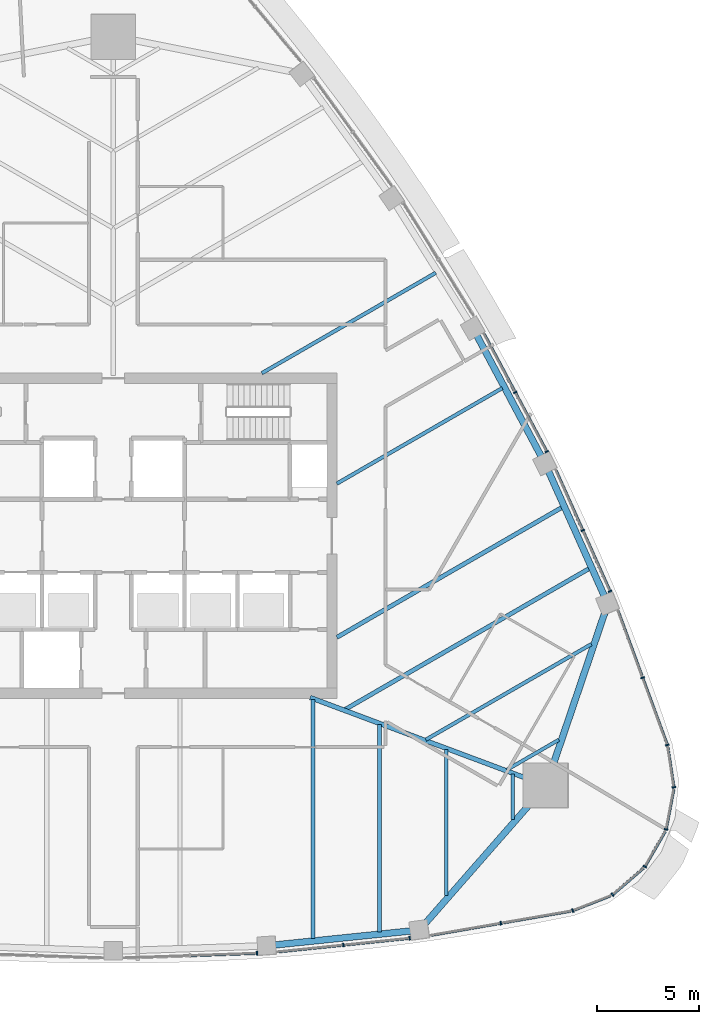
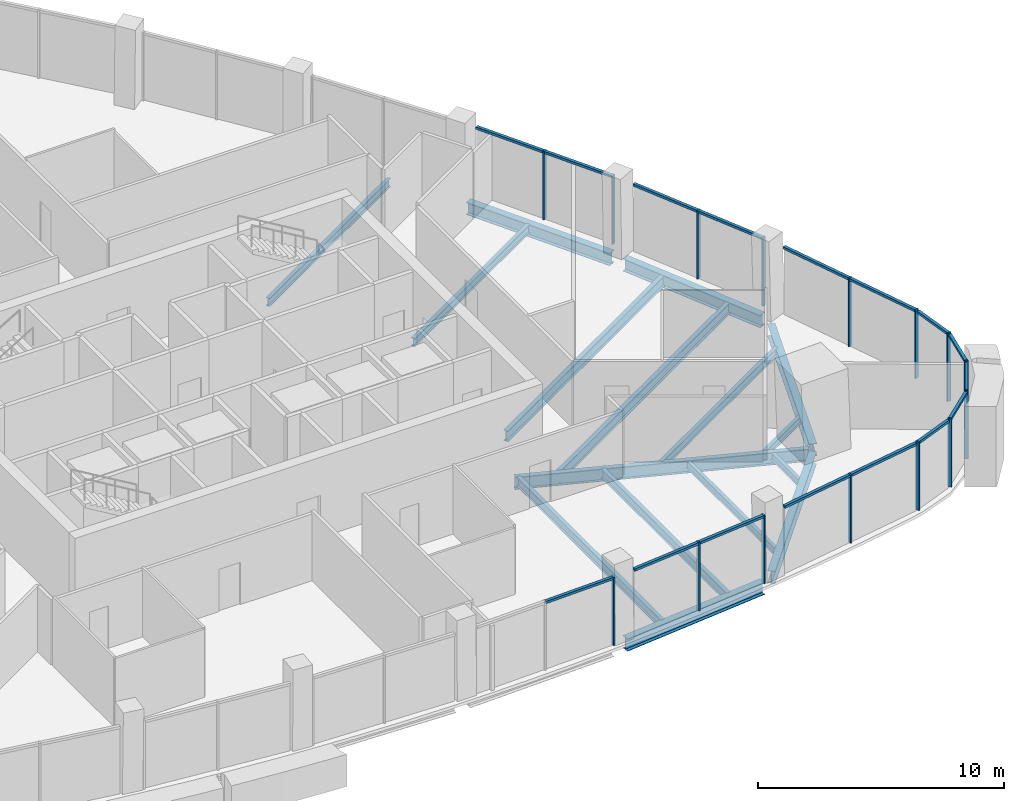
# One storey, part 4 of 15: 31 members, 16 beams, 11 elements without a shape of their own.
"""IFC4 building model written with IfcOpenShell, lengths in metres."""

import ifcopenshell
import ifcopenshell.guid

model = None  # the IFC model being written
_history = None  # IfcOwnerHistory: only IFC2X3 demands one
_inside = {}  # id of a spatial element -> (the spatial element, [elements in it])
_under = {}  # id of a project, library or spatial element -> (it, [spatial elements below it])
_declared = {}  # id of a project -> (the project, [libraries it declares])
_typed = {}  # id of a type object -> (the type object, [elements of that type])
_made_of = {}  # id of a material, layer set ... -> (it, [elements and type objects made of it])


def new_model(schema):
    """Start an empty IFC model of exactly this schema.

    Asked for "IFC4X3", IfcOpenShell would pick the latest addendum, in which some entities
    have other attributes; the version numbers below select the first issue.
    IFC2X3 requires an IfcOwnerHistory on every rooted entity: one is made here for all.
    """
    global model, _history
    if schema == "IFC4X3":
        model = ifcopenshell.file(schema_version=(4, 3, 0, 0))
    else:
        model = ifcopenshell.file(schema=schema)
    _inside.clear()
    _under.clear()
    _declared.clear()
    _typed.clear()
    _made_of.clear()
    _history = None
    if model.schema == "IFC2X3":
        org = make("IfcOrganization", Name="unknown")
        user = make(
            "IfcPersonAndOrganization",
            ThePerson=make("IfcPerson", FamilyName="unknown"),
            TheOrganization=org,
        )
        app = make(
            "IfcApplication",
            ApplicationDeveloper=org,
            Version="unknown",
            ApplicationFullName="unknown",
            ApplicationIdentifier="unknown",
        )
        _history = make(
            "IfcOwnerHistory",
            OwningUser=user,
            OwningApplication=app,
            ChangeAction="ADDED",
            CreationDate=0,
        )
    return model


def make(cls, **values):
    """One entity of the class cls with the attributes given. An attribute that is None is left unset."""
    return model.create_entity(
        cls, **{name: value for name, value in values.items() if value is not None}
    )


def rooted(cls, **values):
    """An entity with a GlobalId (a new one), such as an element, a storey or a relation."""
    return make(cls, GlobalId=ifcopenshell.guid.new(), OwnerHistory=_history, **values)


def si_unit(unit_type, name, prefix=None):
    """IfcSIUnit, for example si_unit("LENGTHUNIT", "METRE", prefix="MILLI")."""
    return make("IfcSIUnit", UnitType=unit_type, Prefix=prefix, Name=name)


def assignment(units):
    """IfcUnitAssignment: the units of a project."""
    return None if units is None else make("IfcUnitAssignment", Units=units)


def point(xyz):
    """IfcCartesianPoint."""
    return None if xyz is None else make("IfcCartesianPoint", Coordinates=xyz)


def direction(xyz):
    """IfcDirection."""
    return None if xyz is None else make("IfcDirection", DirectionRatios=xyz)


def frame(location, z_axis=None, x_axis=None):
    """IfcAxis2Placement3D, a coordinate frame: its origin and axes. An axis left out is left unset."""
    return make(
        "IfcAxis2Placement3D",
        Location=point(location),
        Axis=direction(z_axis),
        RefDirection=direction(x_axis),
    )


def frame_2d(location, x_axis=None):
    """IfcAxis2Placement2D, a coordinate frame in the plane: its origin and x axis."""
    return make(
        "IfcAxis2Placement2D", Location=point(location), RefDirection=direction(x_axis)
    )


def origin():
    """The frame at (0, 0, 0) with its axes left unset."""
    return frame((0.0, 0.0, 0.0))


def origin_2d():
    """The frame at (0, 0) in the plane with its x axis left unset."""
    return frame_2d((0.0, 0.0))


def place(relative_to, where):
    """IfcLocalPlacement: puts the frame where relative to a parent placement (None: the world)."""
    return make(
        "IfcLocalPlacement", PlacementRelTo=relative_to, RelativePlacement=where
    )


def context(
    kind, dimensions, precision=None, world=None, true_north=None, identifier=None
):
    """IfcGeometricRepresentationContext, for example the 3D "Model" context."""
    return make(
        "IfcGeometricRepresentationContext",
        ContextIdentifier=identifier,
        ContextType=kind,
        CoordinateSpaceDimension=dimensions,
        Precision=precision,
        WorldCoordinateSystem=world,
        TrueNorth=true_north,
    )


def subcontext(parent, identifier, kind, view, scale=None):
    """IfcGeometricRepresentationSubContext, for example "Body" below "Model"."""
    return make(
        "IfcGeometricRepresentationSubContext",
        ContextIdentifier=identifier,
        ContextType=kind,
        ParentContext=parent,
        TargetScale=scale,
        TargetView=view,
    )


def project(units=None, contexts=None):
    """IfcProject with its units and contexts."""
    return rooted(
        "IfcProject",
        Name="project",
        RepresentationContexts=contexts,
        UnitsInContext=assignment(units),
    )


def spatial(cls, under=None, at=None, **own):
    """A site, building, storey or space (cls), placed at a placement, below another one or the project."""
    s = rooted(cls, ObjectPlacement=at, **own)
    if under is not None:
        _under.setdefault(under.id(), (under, []))[1].append(s)
    return s


def profile(cls, at=None, kind="AREA", **sizes):
    """A parametric profile (cls). Its sizes go by their IFC names, for example OverallWidth=200.0."""
    return make(cls, ProfileType=kind, Position=at, **sizes)


def rectangle(**sizes):
    """IfcRectangleProfileDef."""
    return profile("IfcRectangleProfileDef", **sizes)


def i_section(**sizes):
    """IfcIShapeProfileDef."""
    return profile("IfcIShapeProfileDef", **sizes)


def extrude(swept, where, along, depth):
    """IfcExtrudedAreaSolid: the profile swept, set in the frame where, extruded along a direction by depth."""
    return make(
        "IfcExtrudedAreaSolid",
        SweptArea=swept,
        Position=where,
        ExtrudedDirection=direction(along),
        Depth=depth,
    )


def shape(context_of_items, identifier, shape_type, items):
    """IfcShapeRepresentation: the items that make up one representation, for example the "Body"."""
    return make(
        "IfcShapeRepresentation",
        ContextOfItems=context_of_items,
        RepresentationIdentifier=identifier,
        RepresentationType=shape_type,
        Items=items,
    )


def material(Name=None, Category=None):
    """IfcMaterial."""
    return make("IfcMaterial", Name=Name, Category=Category)


def layer(
    of_material, thickness, ventilated=None, Name=None, Category=None, Priority=None
):
    """IfcMaterialLayer: one layer of a wall or slab, of a material (None: an air gap)."""
    return make(
        "IfcMaterialLayer",
        Material=of_material,
        LayerThickness=thickness,
        IsVentilated=ventilated,
        Name=Name,
        Category=Category,
        Priority=Priority,
    )


def layer_set(layers, Name=None):
    """IfcMaterialLayerSet."""
    return make("IfcMaterialLayerSet", MaterialLayers=layers, LayerSetName=Name)


def material_profile(
    of_material, cross_section, Name=None, Category=None, Priority=None
):
    """IfcMaterialProfile: a cross section and its material."""
    return make(
        "IfcMaterialProfile",
        Name=Name,
        Material=of_material,
        Profile=cross_section,
        Priority=Priority,
        Category=Category,
    )


def profile_set(profiles, Name=None, composite=None):
    """IfcMaterialProfileSet."""
    return make(
        "IfcMaterialProfileSet",
        Name=Name,
        MaterialProfiles=profiles,
        CompositeProfile=composite,
    )


def made_of(thing, what):
    """Note that an element or type object is made of a material, layer set ...; save() writes the relation."""
    if what is not None:
        _made_of.setdefault(what.id(), (what, []))[1].append(thing)
    return thing


def type_object(cls, material=None, **own):
    """A type object (cls), such as IfcWallType, which elements share."""
    return made_of(rooted(cls, **own), material)


def element(
    cls,
    number,
    at=None,
    inside=None,
    cuts=None,
    type_object=None,
    material=None,
    context=None,
    identifier="Body",
    shape_type=None,
    held_by="IfcProductDefinitionShape",
    body=None,
    shapes=None,
    **own,
):
    """One element of the class cls, such as IfcWall. Its Tag is "e" and its number.

    at: its placement. inside: the storey or other place that contains it. cuts: it is an
    opening in that element (IfcRelVoidsElement). A single representation is given by context,
    identifier, shape_type and body (its items); several are given by shapes. held_by: the class
    of the entity that holds the representations. save() writes the other relations.
    """
    e = rooted(cls, Tag="e%d" % number, ObjectPlacement=at, **own)
    if body is not None:
        shapes = [shape(context, identifier, shape_type, body)]
    if shapes is not None:
        e.Representation = make(held_by, Representations=shapes)
    if inside is not None:
        _inside.setdefault(inside.id(), (inside, []))[1].append(e)
    if cuts is not None:
        rooted(
            "IfcRelVoidsElement", RelatingBuildingElement=cuts, RelatedOpeningElement=e
        )
    if type_object is not None:
        _typed.setdefault(type_object.id(), (type_object, []))[1].append(e)
    return made_of(e, material)


def aggregate(whole, parts):
    """IfcRelAggregates: a whole, such as a stair, and the parts it consists of."""
    return rooted("IfcRelAggregates", RelatingObject=whole, RelatedObjects=parts)


def save(model, path):
    """Write the relations noted so far, then the file.

    IfcRelAggregates (storeys below a building ...), IfcRelContainedInSpatialStructure (elements
    in a storey), IfcRelDefinesByType, IfcRelAssociatesMaterial and IfcRelDeclares: one each for
    every whole, place, type object, material and project.
    """
    for whole, parts in _under.values():
        aggregate(whole, parts)
    for where, things in _inside.values():
        rooted(
            "IfcRelContainedInSpatialStructure",
            RelatedElements=things,
            RelatingStructure=where,
        )
    for kind, things in _typed.values():
        rooted("IfcRelDefinesByType", RelatedObjects=things, RelatingType=kind)
    for what, things in _made_of.values():
        rooted("IfcRelAssociatesMaterial", RelatedObjects=things, RelatingMaterial=what)
    for by, libraries in _declared.values():
        rooted("IfcRelDeclares", RelatingContext=by, RelatedDefinitions=libraries)
    model.write(path)


model = new_model("IFC4")

# Units and contexts
model_context = context("Model", 3, precision=1e-05, world=origin(), true_north=direction((0.0, 1.0)))
body_context = subcontext(model_context, "Body", "Model", "MODEL_VIEW")
ifc_project = project(units=[si_unit("LENGTHUNIT", "METRE"), si_unit("AREAUNIT", "SQUARE_METRE"), si_unit("VOLUMEUNIT", "CUBIC_METRE"), si_unit("PLANEANGLEUNIT", "RADIAN"), si_unit("MASSUNIT", "GRAM", prefix="KILO")], contexts=[model_context])

# Site, building, storey
site_placement = place(None, origin())
site = spatial("IfcSite", under=ifc_project, at=site_placement, CompositionType="ELEMENT")
building_placement = place(site_placement, origin())
building = spatial("IfcBuilding", under=site, at=building_placement, Name="Sierra Prisma Convention Tower", CompositionType="ELEMENT")
storey_placement = place(building_placement, frame((0.0, 0.0, 267.0)))
storey = spatial("IfcBuildingStorey", under=building, at=storey_placement, Name="L60", CompositionType="ELEMENT", Elevation=267.0)

# Curtain wall, member
ifc_material_1 = material(Name="Aluminium and glass curtain wall", Category="aluminium")
ifc_layer = layer(ifc_material_1, 0.179931640625)
ifc_layer_set = layer_set([ifc_layer], Name="CW-1 Plain shaft curtain wall")
curtain_wall_type = type_object("IfcCurtainWallType", Name="CW-1 Plain shaft curtain wall", PredefinedType="NOTDEFINED", material=ifc_layer_set)
curtain_wall_1_placement = place(storey_placement, origin())
curtain_wall_1 = element("IfcCurtainWall", 1, at=curtain_wall_1_placement, inside=storey, type_object=curtain_wall_type, Name="CW-1 S4 L60", PredefinedType="NOTDEFINED")
ifc_material_2 = material(Name="Aluminium 6063-T6 bronze anodised", Category="aluminium")
ifc_material_profile_1 = material_profile(ifc_material_2, rectangle(XDim=0.179931640625, YDim=0.070068359375, at=origin_2d()), Name="ALU MULLION 70x180")
ifc_profile_set_1 = profile_set([ifc_material_profile_1], Name="Aluminium 6063-T6 bronze anodised")
member_type_1 = type_object("IfcMemberType", Name="CW mullion bronze", PredefinedType="MULLION", material=ifc_profile_set_1)
member_1_placement = place(storey_placement, frame((7.075439453125, -20.538818359375, 0.0), z_axis=(0.0, 0.0, 1.0), x_axis=(-0.034275428352, 0.999412424883, 0.0)))
member_1 = element("IfcMember", 2, at=member_1_placement, type_object=member_type_1, Name="CW-1 mullion S4.3", PredefinedType="MULLION", context=body_context, shape_type="SweptSolid", body=[
    extrude(rectangle(XDim=0.179931640625, YDim=0.070068359375, at=origin_2d()), origin(), (0.0, 0.0, 1.0), 3.39990234375),
])

# Curtain wall, members
curtain_wall_2_placement = place(storey_placement, origin())
curtain_wall_2 = element("IfcCurtainWall", 3, at=curtain_wall_2_placement, inside=storey, type_object=curtain_wall_type, Name="CW-1 S5 L60", PredefinedType="NOTDEFINED")
member_2_placement = place(storey_placement, frame((11.318603515625, -20.135009765625, 0.0), z_axis=(0.0, 0.0, 1.0), x_axis=(-0.102665217297, 0.994715966071, 0.0)))
member_2 = element("IfcMember", 4, at=member_2_placement, type_object=member_type_1, Name="CW-1 mullion S5.2", PredefinedType="MULLION", context=body_context, shape_type="SweptSolid", body=[
    extrude(rectangle(XDim=0.179931640625, YDim=0.070068359375, at=origin_2d()), origin(), (0.0, 0.0, 1.0), 3.39990234375),
])
member_3_placement = place(storey_placement, frame((14.582763671875, -19.798095703125, 0.0), z_axis=(0.0, 0.0, 1.0), x_axis=(-0.102665217297, 0.994715966071, 0.0)))
member_3 = element("IfcMember", 5, at=member_3_placement, type_object=member_type_1, Name="CW-1 mullion S5.3", PredefinedType="MULLION", context=body_context, shape_type="SweptSolid", body=[
    extrude(rectangle(XDim=0.179931640625, YDim=0.070068359375, at=origin_2d()), origin(), (0.0, 0.0, 1.0), 3.39990234375),
])

# Curtain wall, member
curtain_wall_3_placement = place(storey_placement, origin())
curtain_wall_3 = element("IfcCurtainWall", 6, at=curtain_wall_3_placement, inside=storey, type_object=curtain_wall_type, Name="CW-1 S6 L60", PredefinedType="NOTDEFINED")
member_4_placement = place(storey_placement, frame((19.063232421875, -19.059326171875, 0.0), z_axis=(0.0, 0.0, 1.0), x_axis=(-0.170572559804, 0.98534511814, 0.0)))
member_4 = element("IfcMember", 7, at=member_4_placement, type_object=member_type_1, Name="CW-1 mullion S6.2", PredefinedType="MULLION", context=body_context, shape_type="SweptSolid", body=[
    extrude(rectangle(XDim=0.179931640625, YDim=0.070068359375, at=origin_2d()), origin(), (0.0, 0.0, 1.0), 3.39990234375),
])

curtain_wall_4_placement = place(storey_placement, origin())
curtain_wall_4 = element("IfcCurtainWall", 8, at=curtain_wall_4_placement, inside=storey, type_object=curtain_wall_type, Name="CW-1 SE1 L60", PredefinedType="NOTDEFINED")
member_5_placement = place(storey_placement, frame((22.60693359375, -18.438720703125, 0.0), z_axis=(0.0, 0.0, 1.0), x_axis=(-0.365336064233, 0.930875695338, 0.0)))
member_5 = element("IfcMember", 9, at=member_5_placement, type_object=member_type_1, Name="CW-1 mullion SE1.1", PredefinedType="MULLION", context=body_context, shape_type="SweptSolid", body=[
    extrude(rectangle(XDim=0.179931640625, YDim=0.070068359375, at=origin_2d()), origin(), (0.0, 0.0, 1.0), 3.39990234375),
])

curtain_wall_5_placement = place(storey_placement, origin())
curtain_wall_5 = element("IfcCurtainWall", 10, at=curtain_wall_5_placement, inside=storey, type_object=curtain_wall_type, Name="CW-1 SE2 L60", PredefinedType="NOTDEFINED")
member_6_placement = place(storey_placement, frame((24.5634765625, -17.658447265625, 0.0), z_axis=(0.0, 0.0, 1.0), x_axis=(-0.652285391863, 0.757973460988, 0.0)))
member_6 = element("IfcMember", 11, at=member_6_placement, type_object=member_type_1, Name="CW-1 mullion SE2.1", PredefinedType="MULLION", context=body_context, shape_type="SweptSolid", body=[
    extrude(rectangle(XDim=0.179931640625, YDim=0.070068359375, at=origin_2d()), origin(), (0.0, 0.0, 1.0), 3.39990234375),
])

curtain_wall_6_placement = place(storey_placement, origin())
curtain_wall_6 = element("IfcCurtainWall", 12, at=curtain_wall_6_placement, inside=storey, type_object=curtain_wall_type, Name="CW-1 SE3 L60", PredefinedType="NOTDEFINED")
member_7_placement = place(storey_placement, frame((26.15234375, -16.27587890625, 0.0), z_axis=(0.0, 0.0, 1.0), x_axis=(-0.866025403784, 0.5, 0.0)))
member_7 = element("IfcMember", 13, at=member_7_placement, type_object=member_type_1, Name="CW-1 mullion SE3.1", PredefinedType="MULLION", context=body_context, shape_type="SweptSolid", body=[
    extrude(rectangle(XDim=0.179931640625, YDim=0.070068359375, at=origin_2d()), origin(), (0.0, 0.0, 1.0), 3.39990234375),
])

curtain_wall_7_placement = place(storey_placement, origin())
curtain_wall_7 = element("IfcCurtainWall", 14, at=curtain_wall_7_placement, inside=storey, type_object=curtain_wall_type, Name="CW-1 SE4 L60", PredefinedType="NOTDEFINED")
member_8_placement = place(storey_placement, frame((27.195556640625, -14.446044921875, 0.0), z_axis=(0.0, 0.0, 1.0), x_axis=(-0.982566968542, 0.185908989377, 0.0)))
member_8 = element("IfcMember", 15, at=member_8_placement, type_object=member_type_1, Name="CW-1 mullion SE4.1", PredefinedType="MULLION", context=body_context, shape_type="SweptSolid", body=[
    extrude(rectangle(XDim=0.179931640625, YDim=0.070068359375, at=origin_2d()), origin(), (0.0, 0.0, 1.0), 3.39990234375),
])

curtain_wall_8_placement = place(storey_placement, origin())
curtain_wall_8 = element("IfcCurtainWall", 16, at=curtain_wall_8_placement, inside=storey, type_object=curtain_wall_type, Name="CW-1 SE5 L60", PredefinedType="NOTDEFINED")
member_9_placement = place(storey_placement, frame((27.57568359375, -12.374267578125, 0.0), z_axis=(0.0, 0.0, 1.0), x_axis=(-0.988830032045, -0.149047535125, 0.0)))
member_9 = element("IfcMember", 17, at=member_9_placement, type_object=member_type_1, Name="CW-1 mullion SE5.1", PredefinedType="MULLION", context=body_context, shape_type="SweptSolid", body=[
    extrude(rectangle(XDim=0.179931640625, YDim=0.070068359375, at=origin_2d()), origin(), (0.0, 0.0, 1.0), 3.39990234375),
])

# Curtain wall, members
curtain_wall_9_placement = place(storey_placement, origin())
curtain_wall_9 = element("IfcCurtainWall", 18, at=curtain_wall_9_placement, inside=storey, type_object=curtain_wall_type, Name="CW-1 NE1 L60", PredefinedType="NOTDEFINED")
member_10_placement = place(storey_placement, frame((27.254638671875, -10.29150390625, 0.0), z_axis=(0.0, 0.0, 1.0), x_axis=(-0.938620183706, -0.344952389091, 0.0)))
member_10 = element("IfcMember", 19, at=member_10_placement, type_object=member_type_1, Name="CW-1 mullion NE1.1", PredefinedType="MULLION", context=body_context, shape_type="SweptSolid", body=[
    extrude(rectangle(XDim=0.179931640625, YDim=0.070068359375, at=origin_2d()), origin(), (0.0, 0.0, 1.0), 3.39990234375),
])
member_11_placement = place(storey_placement, frame((26.03759765625, -6.979736328125, 0.0), z_axis=(0.0, 0.0, 1.0), x_axis=(-0.938620183706, -0.344952389091, 0.0)))
member_11 = element("IfcMember", 20, at=member_11_placement, type_object=member_type_1, Name="CW-1 mullion NE1.2", PredefinedType="MULLION", context=body_context, shape_type="SweptSolid", body=[
    extrude(rectangle(XDim=0.179931640625, YDim=0.070068359375, at=origin_2d()), origin(), (0.0, 0.0, 1.0), 3.39990234375),
])

curtain_wall_10_placement = place(storey_placement, origin())
curtain_wall_10 = element("IfcCurtainWall", 21, at=curtain_wall_10_placement, inside=storey, type_object=curtain_wall_type, Name="CW-1 NE2 L60", PredefinedType="NOTDEFINED")
member_12_placement = place(storey_placement, frame((24.437255859375, -2.72998046875, 0.0), z_axis=(0.0, 0.0, 1.0), x_axis=(-0.912781904816, -0.408447296771, 0.0)))
member_12 = element("IfcMember", 22, at=member_12_placement, type_object=member_type_1, Name="CW-1 mullion NE2.1", PredefinedType="MULLION", context=body_context, shape_type="SweptSolid", body=[
    extrude(rectangle(XDim=0.179931640625, YDim=0.070068359375, at=origin_2d()), origin(), (0.0, 0.0, 1.0), 3.39990234375),
])
member_13_placement = place(storey_placement, frame((23.096923828125, 0.26513671875, 0.0), z_axis=(0.0, 0.0, 1.0), x_axis=(-0.912781904816, -0.408447296771, 0.0)))
member_13 = element("IfcMember", 23, at=member_13_placement, type_object=member_type_1, Name="CW-1 mullion NE2.2", PredefinedType="MULLION", context=body_context, shape_type="SweptSolid", body=[
    extrude(rectangle(XDim=0.179931640625, YDim=0.070068359375, at=origin_2d()), origin(), (0.0, 0.0, 1.0), 3.39990234375),
])

curtain_wall_11_placement = place(storey_placement, origin())
curtain_wall_11 = element("IfcCurtainWall", 24, at=curtain_wall_11_placement, inside=storey, type_object=curtain_wall_type, Name="CW-1 NE3 L60", PredefinedType="NOTDEFINED")
member_14_placement = place(storey_placement, frame((21.324951171875, 4.141845703125, 0.0), z_axis=(0.0, 0.0, 1.0), x_axis=(-0.882654262983, -0.470022820763, 0.0)))
member_14 = element("IfcMember", 25, at=member_14_placement, type_object=member_type_1, Name="CW-1 mullion NE3.1", PredefinedType="MULLION", context=body_context, shape_type="SweptSolid", body=[
    extrude(rectangle(XDim=0.179931640625, YDim=0.070068359375, at=origin_2d()), origin(), (0.0, 0.0, 1.0), 3.39990234375),
])
member_15_placement = place(storey_placement, frame((19.77490234375, 7.05224609375, 0.0), z_axis=(0.0, 0.0, 1.0), x_axis=(-0.882654262983, -0.470022820763, 0.0)))
member_15 = element("IfcMember", 26, at=member_15_placement, type_object=member_type_1, Name="CW-1 mullion NE3.2", PredefinedType="MULLION", context=body_context, shape_type="SweptSolid", body=[
    extrude(rectangle(XDim=0.179931640625, YDim=0.070068359375, at=origin_2d()), origin(), (0.0, 0.0, 1.0), 3.39990234375),
])

# Member
ifc_material_3 = material(Name="Aluminium 6063-T6 bronze anodised", Category="aluminium")
ifc_material_profile_2 = material_profile(ifc_material_3, rectangle(XDim=0.139892578125, YDim=0.1201171875, at=origin_2d()), Name="ALU TRANSOM 120x140")
ifc_profile_set_2 = profile_set([ifc_material_profile_2], Name="Aluminium 6063-T6 bronze anodised")
member_type_2 = type_object("IfcMemberType", Name="CW transom bronze", PredefinedType="USERDEFINED", material=ifc_profile_set_2)
member_16_placement = place(storey_placement, frame((3.81494140625, -20.650634765625, 3.340087890625), z_axis=(0.999412629333, 0.034269466436, 0.0), x_axis=(-0.034269466436, 0.999412629333, 0.0)))
member_16 = element("IfcMember", 27, at=member_16_placement, type_object=member_type_2, Name="CW-1 transom S4.2", ObjectType="TRANSOM", PredefinedType="USERDEFINED", context=body_context, shape_type="SweptSolid", body=[
    extrude(rectangle(XDim=0.139892578125, YDim=0.1201171875, at=origin_2d()), origin(), (0.0, 0.0, 1.0), 3.227294921875),
])

aggregate(curtain_wall_1, [member_1, member_16])

member_17_placement = place(storey_placement, frame((8.08935546875, -20.46826171875, 3.340087890625), z_axis=(0.994719928614, 0.102626817243, 0.0), x_axis=(-0.102626817243, 0.994719928614, 0.0)))
member_17 = element("IfcMember", 28, at=member_17_placement, type_object=member_type_2, Name="CW-1 transom S5.1", ObjectType="TRANSOM", PredefinedType="USERDEFINED", context=body_context, shape_type="SweptSolid", body=[
    extrude(rectangle(XDim=0.139892578125, YDim=0.1201171875, at=origin_2d()), origin(), (0.0, 0.0, 1.0), 3.21142578125),
])

member_18_placement = place(storey_placement, frame((11.353515625, -20.13134765625, 3.340087890625), z_axis=(0.994719127862, 0.10263457831, 0.0), x_axis=(-0.10263457831, 0.994719127862, 0.0)))
member_18 = element("IfcMember", 29, at=member_18_placement, type_object=member_type_2, Name="CW-1 transom S5.2", ObjectType="TRANSOM", PredefinedType="USERDEFINED", context=body_context, shape_type="SweptSolid", body=[
    extrude(rectangle(XDim=0.139892578125, YDim=0.1201171875, at=origin_2d()), origin(), (0.0, 0.0, 1.0), 3.211181640625),
])

aggregate(curtain_wall_2, [member_2, member_3, member_17, member_18])

member_19_placement = place(storey_placement, frame((15.62109375, -19.6552734375, 3.340087890625), z_axis=(0.98533635853, 0.170623153644, 0.0), x_axis=(-0.170623153644, 0.98533635853, 0.0)))
member_19 = element("IfcMember", 30, at=member_19_placement, type_object=member_type_2, Name="CW-1 transom S6.1", ObjectType="TRANSOM", PredefinedType="USERDEFINED", context=body_context, shape_type="SweptSolid", body=[
    extrude(rectangle(XDim=0.139892578125, YDim=0.1201171875, at=origin_2d()), origin(), (0.0, 0.0, 1.0), 3.45849609375),
])

member_20_placement = place(storey_placement, frame((19.097900390625, -19.05322265625, 3.340087890625), z_axis=(0.985346170751, 0.170566479081, 0.0), x_axis=(-0.170566479081, 0.985346170751, 0.0)))
member_20 = element("IfcMember", 31, at=member_20_placement, type_object=member_type_2, Name="CW-1 transom S6.2", ObjectType="TRANSOM", PredefinedType="USERDEFINED", context=body_context, shape_type="SweptSolid", body=[
    extrude(rectangle(XDim=0.139892578125, YDim=0.1201171875, at=origin_2d()), origin(), (0.0, 0.0, 1.0), 3.458251953125),
])

aggregate(curtain_wall_3, [member_4, member_19, member_20])

member_21_placement = place(storey_placement, frame((22.6396484375, -18.426025390625, 3.340087890625), z_axis=(0.930835901668, 0.365437442206, 0.0), x_axis=(-0.365437442206, 0.930835901668, 0.0)))
member_21 = element("IfcMember", 32, at=member_21_placement, type_object=member_type_2, Name="CW-1 transom SE1.1", ObjectType="TRANSOM", PredefinedType="USERDEFINED", context=body_context, shape_type="SweptSolid", body=[
    extrude(rectangle(XDim=0.139892578125, YDim=0.1201171875, at=origin_2d()), origin(), (0.0, 0.0, 1.0), 1.96826171875),
])

aggregate(curtain_wall_4, [member_5, member_21])

member_22_placement = place(storey_placement, frame((24.590087890625, -17.6357421875, 3.340087890625), z_axis=(0.757915307009, 0.652352962285, 0.0), x_axis=(-0.652352962285, 0.757915307009, 0.0)))
member_22 = element("IfcMember", 33, at=member_22_placement, type_object=member_type_2, Name="CW-1 transom SE2.1", ObjectType="TRANSOM", PredefinedType="USERDEFINED", context=body_context, shape_type="SweptSolid", body=[
    extrude(rectangle(XDim=0.139892578125, YDim=0.1201171875, at=origin_2d()), origin(), (0.0, 0.0, 1.0), 1.96826171875),
])

aggregate(curtain_wall_5, [member_6, member_22])

member_23_placement = place(storey_placement, frame((26.169921875, -16.24560546875, 3.340087890625), z_axis=(0.49999445743, 0.866028603765, 0.0), x_axis=(-0.866028603765, 0.49999445743, 0.0)))
member_23 = element("IfcMember", 34, at=member_23_placement, type_object=member_type_2, Name="CW-1 transom SE3.1", ObjectType="TRANSOM", PredefinedType="USERDEFINED", context=body_context, shape_type="SweptSolid", body=[
    extrude(rectangle(XDim=0.139892578125, YDim=0.1201171875, at=origin_2d()), origin(), (0.0, 0.0, 1.0), 1.96826171875),
])

aggregate(curtain_wall_6, [member_7, member_23])

member_24_placement = place(storey_placement, frame((27.201904296875, -14.41162109375, 3.340087890625), z_axis=(0.185943455322, 0.982560446702, 0.0), x_axis=(-0.982560446702, 0.185943455322, 0.0)))
member_24 = element("IfcMember", 35, at=member_24_placement, type_object=member_type_2, Name="CW-1 transom SE4.1", ObjectType="TRANSOM", PredefinedType="USERDEFINED", context=body_context, shape_type="SweptSolid", body=[
    extrude(rectangle(XDim=0.139892578125, YDim=0.1201171875, at=origin_2d()), origin(), (0.0, 0.0, 1.0), 1.96826171875),
])

aggregate(curtain_wall_7, [member_8, member_24])

member_25_placement = place(storey_placement, frame((27.570556640625, -12.33984375, 3.340087890625), z_axis=(-0.149092517242, 0.98882325079, 0.0), x_axis=(-0.98882325079, -0.149092517242, 0.0)))
member_25 = element("IfcMember", 36, at=member_25_placement, type_object=member_type_2, Name="CW-1 transom SE5.1", ObjectType="TRANSOM", PredefinedType="USERDEFINED", context=body_context, shape_type="SweptSolid", body=[
    extrude(rectangle(XDim=0.139892578125, YDim=0.1201171875, at=origin_2d()), origin(), (0.0, 0.0, 1.0), 1.96826171875),
])

aggregate(curtain_wall_8, [member_9, member_25])

member_26_placement = place(storey_placement, frame((27.242431640625, -10.258544921875, 3.340087890625), z_axis=(-0.344926629839, 0.93862965009, 0.0), x_axis=(-0.93862965009, -0.344926629839, 0.0)))
member_26 = element("IfcMember", 37, at=member_26_placement, type_object=member_type_2, Name="CW-1 transom NE1.1", ObjectType="TRANSOM", PredefinedType="USERDEFINED", context=body_context, shape_type="SweptSolid", body=[
    extrude(rectangle(XDim=0.139892578125, YDim=0.1201171875, at=origin_2d()), origin(), (0.0, 0.0, 1.0), 3.458251953125),
])

member_27_placement = place(storey_placement, frame((26.025390625, -6.94677734375, 3.340087890625), z_axis=(-0.344926629839, 0.93862965009, 0.0), x_axis=(-0.93862965009, -0.344926629839, 0.0)))
member_27 = element("IfcMember", 38, at=member_27_placement, type_object=member_type_2, Name="CW-1 transom NE1.2", ObjectType="TRANSOM", PredefinedType="USERDEFINED", context=body_context, shape_type="SweptSolid", body=[
    extrude(rectangle(XDim=0.139892578125, YDim=0.1201171875, at=origin_2d()), origin(), (0.0, 0.0, 1.0), 3.458251953125),
])

aggregate(curtain_wall_9, [member_10, member_11, member_26, member_27])

member_28_placement = place(storey_placement, frame((24.4228515625, -2.6982421875, 3.340087890625), z_axis=(-0.408457738718, 0.912777232232, 0.0), x_axis=(-0.912777232232, -0.408457738718, 0.0)))
member_28 = element("IfcMember", 39, at=member_28_placement, type_object=member_type_2, Name="CW-1 transom NE2.1", ObjectType="TRANSOM", PredefinedType="USERDEFINED", context=body_context, shape_type="SweptSolid", body=[
    extrude(rectangle(XDim=0.139892578125, YDim=0.1201171875, at=origin_2d()), origin(), (0.0, 0.0, 1.0), 3.21142578125),
])

member_29_placement = place(storey_placement, frame((23.08251953125, 0.297119140625, 3.340087890625), z_axis=(-0.408457738718, 0.912777232232, 0.0), x_axis=(-0.912777232232, -0.408457738718, 0.0)))
member_29 = element("IfcMember", 40, at=member_29_placement, type_object=member_type_2, Name="CW-1 transom NE2.2", ObjectType="TRANSOM", PredefinedType="USERDEFINED", context=body_context, shape_type="SweptSolid", body=[
    extrude(rectangle(XDim=0.139892578125, YDim=0.1201171875, at=origin_2d()), origin(), (0.0, 0.0, 1.0), 3.21142578125),
])

aggregate(curtain_wall_10, [member_12, member_13, member_28, member_29])

member_30_placement = place(storey_placement, frame((21.308349609375, 4.1728515625, 3.340087890625), z_axis=(-0.470034485521, 0.882648051276, 0.0), x_axis=(-0.882648051276, -0.470034485521, 0.0)))
member_30 = element("IfcMember", 41, at=member_30_placement, type_object=member_type_2, Name="CW-1 transom NE3.1", ObjectType="TRANSOM", PredefinedType="USERDEFINED", context=body_context, shape_type="SweptSolid", body=[
    extrude(rectangle(XDim=0.139892578125, YDim=0.1201171875, at=origin_2d()), origin(), (0.0, 0.0, 1.0), 3.22705078125),
])

member_31_placement = place(storey_placement, frame((19.758544921875, 7.083251953125, 3.340087890625), z_axis=(-0.470034485521, 0.882648051276, 0.0), x_axis=(-0.882648051276, -0.470034485521, 0.0)))
member_31 = element("IfcMember", 42, at=member_31_placement, type_object=member_type_2, Name="CW-1 transom NE3.2", ObjectType="TRANSOM", PredefinedType="USERDEFINED", context=body_context, shape_type="SweptSolid", body=[
    extrude(rectangle(XDim=0.139892578125, YDim=0.1201171875, at=origin_2d()), origin(), (0.0, 0.0, 1.0), 3.22705078125),
])

aggregate(curtain_wall_11, [member_14, member_15, member_30, member_31])

# Beams
ifc_material_4 = material(Name="Steel ASTM A992 Gr 50", Category="steel")
ifc_material_profile_3 = material_profile(ifc_material_4, i_section(OverallWidth=0.172119140625, OverallDepth=0.35791015625, WebThickness=0.0078125, FlangeThickness=0.01318359375, at=origin_2d()), Name="W360x57")
ifc_profile_set_3 = profile_set([ifc_material_profile_3], Name="Steel ASTM A992 Gr 50")
beam_type_1 = type_object("IfcBeamType", Name="Floor joist W360x57", PredefinedType="JOIST", material=ifc_profile_set_3)
beam_1_placement = place(storey_placement, frame((16.376220703125, -17.699951171875, -0.3291015625), z_axis=(0.0, 1.0, 0.0), x_axis=(-1.0, 0.0, 0.0)))
element("IfcBeam", 43, at=beam_1_placement, inside=storey, type_object=beam_type_1, Name="Floor joist L60 S12", PredefinedType="JOIST", context=body_context, shape_type="SweptSolid", body=[
    extrude(i_section(OverallWidth=0.172119140625, OverallDepth=0.35791015625, WebThickness=0.0078125, FlangeThickness=0.01318359375, at=origin_2d()), origin(), (0.0, 0.0, 1.0), 7.194580078125),
])
beam_2_placement = place(storey_placement, frame((19.651611328125, -13.963134765625, -0.3291015625), z_axis=(0.0, 1.0, 0.0), x_axis=(-1.0, 0.0, 0.0)))
element("IfcBeam", 44, at=beam_2_placement, inside=storey, type_object=beam_type_1, Name="Floor joist L60 S13", PredefinedType="JOIST", context=body_context, shape_type="SweptSolid", body=[
    extrude(i_section(OverallWidth=0.172119140625, OverallDepth=0.35791015625, WebThickness=0.0078125, FlangeThickness=0.01318359375, at=origin_2d()), origin(), (0.0, 0.0, 1.0), 2.234375),
])
beam_3_placement = place(storey_placement, frame((21.918212890625, -10.037109375, -0.3291015625), z_axis=(-0.86600858836, -0.500029124038, 0.0), x_axis=(0.500029124038, -0.86600858836, 0.0)))
element("IfcBeam", 45, at=beam_3_placement, inside=storey, type_object=beam_type_1, Name="Floor joist L60 NE01", PredefinedType="JOIST", context=body_context, shape_type="SweptSolid", body=[
    extrude(i_section(OverallWidth=0.172119140625, OverallDepth=0.35791015625, WebThickness=0.0078125, FlangeThickness=0.01318359375, at=origin_2d()), origin(), (0.0, 0.0, 1.0), 2.963134765625),
])
ifc_material_5 = material(Name="Steel ASTM A992 Gr 50", Category="steel")
ifc_material_profile_4 = material_profile(ifc_material_5, i_section(OverallWidth=0.177978515625, OverallDepth=0.406982421875, WebThickness=0.0078125, FlangeThickness=0.0126953125, at=origin_2d()), Name="W410x60")
ifc_profile_set_4 = profile_set([ifc_material_profile_4], Name="Steel ASTM A992 Gr 50")
beam_type_2 = type_object("IfcBeamType", Name="Floor joist W410x60", PredefinedType="JOIST", material=ifc_profile_set_4)
beam_4_placement = place(storey_placement, frame((23.516845703125, -5.332275390625, -0.353515625), z_axis=(-0.866021259968, -0.500007177232, 0.0), x_axis=(0.500007177232, -0.866021259968, 0.0)))
element("IfcBeam", 46, at=beam_4_placement, inside=storey, type_object=beam_type_2, Name="Floor joist L60 NE02", PredefinedType="JOIST", context=body_context, shape_type="SweptSolid", body=[
    extrude(i_section(OverallWidth=0.177978515625, OverallDepth=0.406982421875, WebThickness=0.0078125, FlangeThickness=0.0126953125, at=origin_2d()), origin(), (0.0, 0.0, 1.0), 9.401611328125),
])
beam_5_placement = place(storey_placement, frame((19.136962890625, 7.266845703125, -0.353515625), z_axis=(-0.866019858166, -0.500009605169, 0.0), x_axis=(0.500009605169, -0.866019858166, 0.0)))
element("IfcBeam", 47, at=beam_5_placement, inside=storey, type_object=beam_type_2, Name="Floor joist L60 NE06", PredefinedType="JOIST", context=body_context, shape_type="SweptSolid", body=[
    extrude(i_section(OverallWidth=0.177978515625, OverallDepth=0.406982421875, WebThickness=0.0078125, FlangeThickness=0.0126953125, at=origin_2d()), origin(), (0.0, 0.0, 1.0), 9.395751953125),
])
beam_6_placement = place(storey_placement, frame((15.861572265625, 12.939697265625, -0.353515625), z_axis=(-0.866021795814, -0.500006249136, 0.0), x_axis=(0.500006249136, -0.866021795814, 0.0)))
element("IfcBeam", 48, at=beam_6_placement, inside=storey, type_object=beam_type_2, Name="Floor joist L60 NE08", PredefinedType="JOIST", context=body_context, shape_type="SweptSolid", body=[
    extrude(i_section(OverallWidth=0.177978515625, OverallDepth=0.406982421875, WebThickness=0.0078125, FlangeThickness=0.0126953125, at=origin_2d()), origin(), (0.0, 0.0, 1.0), 9.879150390625),
])
ifc_material_6 = material(Name="Steel ASTM A992 Gr 50", Category="steel")
ifc_material_profile_5 = material_profile(ifc_material_6, i_section(OverallWidth=0.18994140625, OverallDepth=0.45703125, WebThickness=0.009033203125, FlangeThickness=0.014404296875, at=origin_2d()), Name="W460x74")
ifc_profile_set_5 = profile_set([ifc_material_profile_5], Name="Steel ASTM A992 Gr 50")
beam_type_3 = type_object("IfcBeamType", Name="Floor joist W460x74", PredefinedType="JOIST", material=ifc_profile_set_5)
beam_7_placement = place(storey_placement, frame((9.82568359375, -19.82421875, -0.37841796875), z_axis=(0.0, 1.0, 0.0), x_axis=(-1.0, 0.0, 0.0)))
element("IfcBeam", 49, at=beam_7_placement, inside=storey, type_object=beam_type_3, Name="Floor joist L60 S10", PredefinedType="JOIST", context=body_context, shape_type="SweptSolid", body=[
    extrude(i_section(OverallWidth=0.18994140625, OverallDepth=0.45703125, WebThickness=0.009033203125, FlangeThickness=0.014404296875, at=origin_2d()), origin(), (0.0, 0.0, 1.0), 11.765380859375),
])
beam_8_placement = place(storey_placement, frame((13.10107421875, -19.486083984375, -0.37841796875), z_axis=(0.0, 1.0, 0.0), x_axis=(-1.0, 0.0, 0.0)))
element("IfcBeam", 50, at=beam_8_placement, inside=storey, type_object=beam_type_3, Name="Floor joist L60 S11", PredefinedType="JOIST", context=body_context, shape_type="SweptSolid", body=[
    extrude(i_section(OverallWidth=0.18994140625, OverallDepth=0.45703125, WebThickness=0.009033203125, FlangeThickness=0.014404296875, at=origin_2d()), origin(), (0.0, 0.0, 1.0), 10.2041015625),
])
ifc_material_7 = material(Name="Steel ASTM A992 Gr 50", Category="steel")
ifc_material_profile_6 = material_profile(ifc_material_7, i_section(OverallWidth=0.208984375, OverallDepth=0.532958984375, WebThickness=0.01025390625, FlangeThickness=0.015625, at=origin_2d()), Name="W530x92")
ifc_profile_set_6 = profile_set([ifc_material_profile_6], Name="Steel ASTM A992 Gr 50")
beam_type_4 = type_object("IfcBeamType", Name="Floor joist W530x92", PredefinedType="JOIST", material=ifc_profile_set_6)
beam_9_placement = place(storey_placement, frame((23.426025390625, -1.602783203125, -0.41650390625), z_axis=(-0.866025767314, -0.499999370347, 0.0), x_axis=(0.499999370347, -0.866025767314, 0.0)))
element("IfcBeam", 51, at=beam_9_placement, inside=storey, type_object=beam_type_4, Name="Floor joist L60 NE03", PredefinedType="JOIST", context=body_context, shape_type="SweptSolid", body=[
    extrude(i_section(OverallWidth=0.208984375, OverallDepth=0.532958984375, WebThickness=0.01025390625, FlangeThickness=0.015625, at=origin_2d()), origin(), (0.0, 0.0, 1.0), 13.8896484375),
])
beam_10_placement = place(storey_placement, frame((22.0810546875, 1.402587890625, -0.41650390625), z_axis=(-0.866031798771, -0.499988923394, 0.0), x_axis=(0.499988923394, -0.866031798771, 0.0)))
element("IfcBeam", 52, at=beam_10_placement, inside=storey, type_object=beam_type_4, Name="Floor joist L60 NE04", PredefinedType="JOIST", context=body_context, shape_type="SweptSolid", body=[
    extrude(i_section(OverallWidth=0.208984375, OverallDepth=0.532958984375, WebThickness=0.01025390625, FlangeThickness=0.015625, at=origin_2d()), origin(), (0.0, 0.0, 1.0), 12.795166015625),
])
ifc_material_8 = material(Name="Steel ASTM A992 Gr 50", Category="steel")
ifc_material_profile_7 = material_profile(ifc_material_8, i_section(OverallWidth=0.22998046875, OverallDepth=0.616943359375, WebThickness=0.01318359375, FlangeThickness=0.022216796875, at=origin_2d()), Name="W610x140")
ifc_profile_set_7 = profile_set([ifc_material_profile_7], Name="Steel ASTM A992 Gr 50")
beam_type_5 = type_object("IfcBeamType", Name="Radial girder W610x140", PredefinedType="BEAM", material=ifc_profile_set_7)
beam_11_placement = place(storey_placement, frame((21.069091796875, -12.209228515625, -0.45849609375), z_axis=(-0.936785053593, 0.34990536344, 0.0), x_axis=(-0.34990536344, -0.936785053593, 0.0)))
element("IfcBeam", 53, at=beam_11_placement, inside=storey, type_object=beam_type_5, Name="Radial girder L60 SE", PredefinedType="BEAM", context=body_context, shape_type="SweptSolid", body=[
    extrude(i_section(OverallWidth=0.22998046875, OverallDepth=0.616943359375, WebThickness=0.01318359375, FlangeThickness=0.022216796875, at=origin_2d()), origin(), (0.0, 0.0, 1.0), 12.149658203125),
])
ifc_material_9 = material(Name="Steel ASTM A992 Gr 50", Category="steel")
ifc_material_profile_8 = material_profile(ifc_material_9, i_section(OverallWidth=0.324951171875, OverallDepth=0.615966796875, WebThickness=0.013916015625, FlangeThickness=0.021484375, at=origin_2d()), Name="W610x174")
ifc_profile_set_8 = profile_set([ifc_material_profile_8], Name="Steel ASTM A992 Gr 50")
beam_type_6 = type_object("IfcBeamType", Name="Spandrel beam W610x174", PredefinedType="BEAM", material=ifc_profile_set_8)
beam_12_placement = place(storey_placement, frame((7.876708984375, -20.138671875, -0.4580078125), z_axis=(0.994716893749, 0.102656228699, 0.0), x_axis=(-0.102656228699, 0.994716893749, 0.0)))
element("IfcBeam", 54, at=beam_12_placement, inside=storey, type_object=beam_type_6, Name="Spandrel L60-05", PredefinedType="BEAM", context=body_context, shape_type="SweptSolid", body=[
    extrude(i_section(OverallWidth=0.324951171875, OverallDepth=0.615966796875, WebThickness=0.013916015625, FlangeThickness=0.021484375, at=origin_2d()), origin(), (0.0, 0.0, 1.0), 6.89208984375),
])
beam_13_placement = place(storey_placement, frame((15.374267578125, -19.03955078125, -0.4580078125), z_axis=(0.659149455345, 0.75201196501, 0.0), x_axis=(-0.75201196501, 0.659149455345, 0.0)))
element("IfcBeam", 55, at=beam_13_placement, inside=storey, type_object=beam_type_6, Name="Spandrel L60-06", PredefinedType="BEAM", context=body_context, shape_type="SweptSolid", body=[
    extrude(i_section(OverallWidth=0.324951171875, OverallDepth=0.615966796875, WebThickness=0.013916015625, FlangeThickness=0.021484375, at=origin_2d()), origin(), (0.0, 0.0, 1.0), 8.68115234375),
])
beam_14_placement = place(storey_placement, frame((21.364013671875, -12.0712890625, -0.4580078125), z_axis=(0.321693928852, 0.946843712626, 0.0), x_axis=(-0.946843712626, 0.321693928852, 0.0)))
element("IfcBeam", 56, at=beam_14_placement, inside=storey, type_object=beam_type_6, Name="Spandrel L60-07", PredefinedType="BEAM", context=body_context, shape_type="SweptSolid", body=[
    extrude(i_section(OverallWidth=0.324951171875, OverallDepth=0.615966796875, WebThickness=0.013916015625, FlangeThickness=0.021484375, at=origin_2d()), origin(), (0.0, 0.0, 1.0), 8.7412109375),
])
for number, where, z_axis, x_axis, name in (
    (57, (24.194091796875, -3.043212890625, -0.4580078125), (-0.408460818566, 0.912775854028, 0.0), (-0.912775854028, -0.408460818566, 0.0), "Spandrel L60-08"),
    (58, (21.0888671875, 3.8408203125, -0.4580078125), (-0.470034726794, 0.882647922791, 0.0), (-0.882647922791, -0.470034726794, 0.0), "Spandrel L60-09"),
):
    element("IfcBeam", number, at=place(storey_placement, frame(where, z_axis=z_axis, x_axis=x_axis)), inside=storey, type_object=beam_type_6, Name=name, PredefinedType="BEAM", context=body_context, shape_type="SweptSolid", body=[
        extrude(i_section(OverallWidth=0.324951171875, OverallDepth=0.615966796875, WebThickness=0.013916015625, FlangeThickness=0.021484375, at=origin_2d()), origin(), (0.0, 0.0, 1.0), 6.89208984375),
    ])

save(model, "model.ifc")
